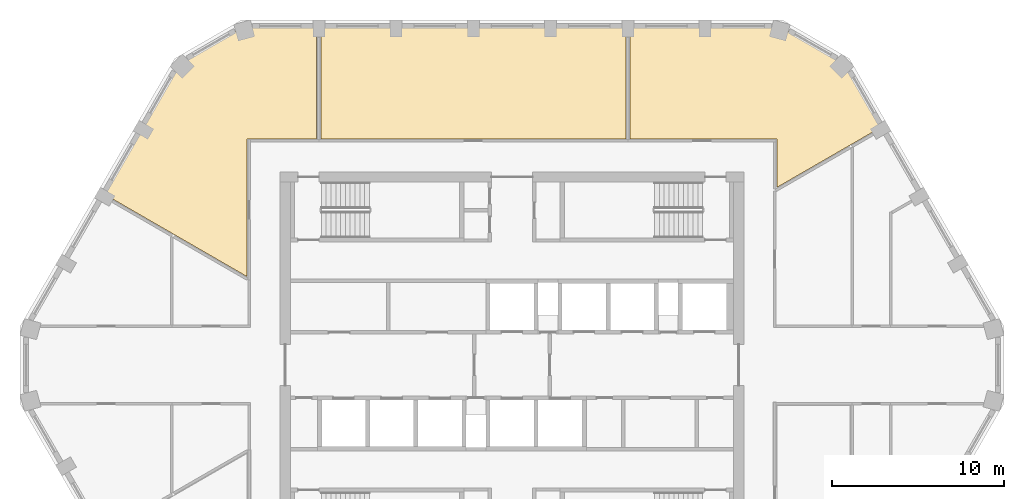
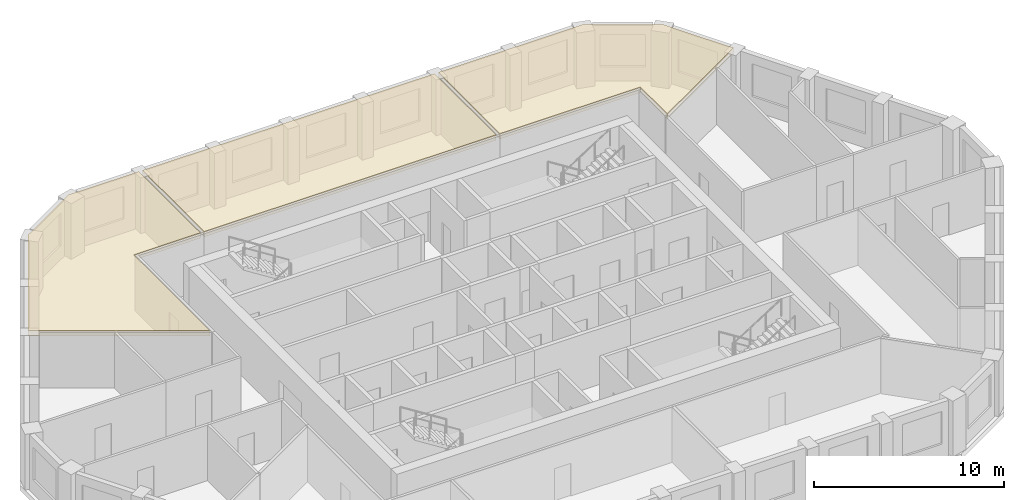
# One storey, part 11 of 11: 3 coverings.
"""IFC4 building model written with IfcOpenShell, lengths in metres."""

import ifcopenshell
import ifcopenshell.guid

model = None  # the IFC model being written
_history = None  # IfcOwnerHistory: only IFC2X3 demands one
_inside = {}  # id of a spatial element -> (the spatial element, [elements in it])
_under = {}  # id of a project, library or spatial element -> (it, [spatial elements below it])
_declared = {}  # id of a project -> (the project, [libraries it declares])
_typed = {}  # id of a type object -> (the type object, [elements of that type])
_made_of = {}  # id of a material, layer set ... -> (it, [elements and type objects made of it])


def new_model(schema):
    """Start an empty IFC model of exactly this schema.

    Asked for "IFC4X3", IfcOpenShell would pick the latest addendum, in which some entities
    have other attributes; the version numbers below select the first issue.
    IFC2X3 requires an IfcOwnerHistory on every rooted entity: one is made here for all.
    """
    global model, _history
    if schema == "IFC4X3":
        model = ifcopenshell.file(schema_version=(4, 3, 0, 0))
    else:
        model = ifcopenshell.file(schema=schema)
    _inside.clear()
    _under.clear()
    _declared.clear()
    _typed.clear()
    _made_of.clear()
    _history = None
    if model.schema == "IFC2X3":
        org = make("IfcOrganization", Name="unknown")
        user = make(
            "IfcPersonAndOrganization",
            ThePerson=make("IfcPerson", FamilyName="unknown"),
            TheOrganization=org,
        )
        app = make(
            "IfcApplication",
            ApplicationDeveloper=org,
            Version="unknown",
            ApplicationFullName="unknown",
            ApplicationIdentifier="unknown",
        )
        _history = make(
            "IfcOwnerHistory",
            OwningUser=user,
            OwningApplication=app,
            ChangeAction="ADDED",
            CreationDate=0,
        )
    return model


def make(cls, **values):
    """One entity of the class cls with the attributes given. An attribute that is None is left unset."""
    return model.create_entity(
        cls, **{name: value for name, value in values.items() if value is not None}
    )


def rooted(cls, **values):
    """An entity with a GlobalId (a new one), such as an element, a storey or a relation."""
    return make(cls, GlobalId=ifcopenshell.guid.new(), OwnerHistory=_history, **values)


def si_unit(unit_type, name, prefix=None):
    """IfcSIUnit, for example si_unit("LENGTHUNIT", "METRE", prefix="MILLI")."""
    return make("IfcSIUnit", UnitType=unit_type, Prefix=prefix, Name=name)


def assignment(units):
    """IfcUnitAssignment: the units of a project."""
    return None if units is None else make("IfcUnitAssignment", Units=units)


def point(xyz):
    """IfcCartesianPoint."""
    return None if xyz is None else make("IfcCartesianPoint", Coordinates=xyz)


def direction(xyz):
    """IfcDirection."""
    return None if xyz is None else make("IfcDirection", DirectionRatios=xyz)


def frame(location, z_axis=None, x_axis=None):
    """IfcAxis2Placement3D, a coordinate frame: its origin and axes. An axis left out is left unset."""
    return make(
        "IfcAxis2Placement3D",
        Location=point(location),
        Axis=direction(z_axis),
        RefDirection=direction(x_axis),
    )


def origin():
    """The frame at (0, 0, 0) with its axes left unset."""
    return frame((0.0, 0.0, 0.0))


def place(relative_to, where):
    """IfcLocalPlacement: puts the frame where relative to a parent placement (None: the world)."""
    return make(
        "IfcLocalPlacement", PlacementRelTo=relative_to, RelativePlacement=where
    )


def context(
    kind, dimensions, precision=None, world=None, true_north=None, identifier=None
):
    """IfcGeometricRepresentationContext, for example the 3D "Model" context."""
    return make(
        "IfcGeometricRepresentationContext",
        ContextIdentifier=identifier,
        ContextType=kind,
        CoordinateSpaceDimension=dimensions,
        Precision=precision,
        WorldCoordinateSystem=world,
        TrueNorth=true_north,
    )


def subcontext(parent, identifier, kind, view, scale=None):
    """IfcGeometricRepresentationSubContext, for example "Body" below "Model"."""
    return make(
        "IfcGeometricRepresentationSubContext",
        ContextIdentifier=identifier,
        ContextType=kind,
        ParentContext=parent,
        TargetScale=scale,
        TargetView=view,
    )


def project(units=None, contexts=None):
    """IfcProject with its units and contexts."""
    return rooted(
        "IfcProject",
        Name="project",
        RepresentationContexts=contexts,
        UnitsInContext=assignment(units),
    )


def spatial(cls, under=None, at=None, **own):
    """A site, building, storey or space (cls), placed at a placement, below another one or the project."""
    s = rooted(cls, ObjectPlacement=at, **own)
    if under is not None:
        _under.setdefault(under.id(), (under, []))[1].append(s)
    return s


def polyline(points):
    """IfcPolyline through the points."""
    return make("IfcPolyline", Points=[point(p) for p in points])


def outline(outer, holes=None, kind="AREA"):
    """IfcArbitraryClosedProfileDef: a profile drawn as a closed curve; with holes, ...WithVoids."""
    if holes is None:
        return make("IfcArbitraryClosedProfileDef", ProfileType=kind, OuterCurve=outer)
    return make(
        "IfcArbitraryProfileDefWithVoids",
        ProfileType=kind,
        OuterCurve=outer,
        InnerCurves=holes,
    )


def extrude(swept, where, along, depth):
    """IfcExtrudedAreaSolid: the profile swept, set in the frame where, extruded along a direction by depth."""
    return make(
        "IfcExtrudedAreaSolid",
        SweptArea=swept,
        Position=where,
        ExtrudedDirection=direction(along),
        Depth=depth,
    )


def shape(context_of_items, identifier, shape_type, items):
    """IfcShapeRepresentation: the items that make up one representation, for example the "Body"."""
    return make(
        "IfcShapeRepresentation",
        ContextOfItems=context_of_items,
        RepresentationIdentifier=identifier,
        RepresentationType=shape_type,
        Items=items,
    )


def material(Name=None, Category=None):
    """IfcMaterial."""
    return make("IfcMaterial", Name=Name, Category=Category)


def layer(
    of_material, thickness, ventilated=None, Name=None, Category=None, Priority=None
):
    """IfcMaterialLayer: one layer of a wall or slab, of a material (None: an air gap)."""
    return make(
        "IfcMaterialLayer",
        Material=of_material,
        LayerThickness=thickness,
        IsVentilated=ventilated,
        Name=Name,
        Category=Category,
        Priority=Priority,
    )


def layer_set(layers, Name=None):
    """IfcMaterialLayerSet."""
    return make("IfcMaterialLayerSet", MaterialLayers=layers, LayerSetName=Name)


def made_of(thing, what):
    """Note that an element or type object is made of a material, layer set ...; save() writes the relation."""
    if what is not None:
        _made_of.setdefault(what.id(), (what, []))[1].append(thing)
    return thing


def type_object(cls, material=None, **own):
    """A type object (cls), such as IfcWallType, which elements share."""
    return made_of(rooted(cls, **own), material)


def element(
    cls,
    number,
    at=None,
    inside=None,
    cuts=None,
    type_object=None,
    material=None,
    context=None,
    identifier="Body",
    shape_type=None,
    held_by="IfcProductDefinitionShape",
    body=None,
    shapes=None,
    **own,
):
    """One element of the class cls, such as IfcWall. Its Tag is "e" and its number.

    at: its placement. inside: the storey or other place that contains it. cuts: it is an
    opening in that element (IfcRelVoidsElement). A single representation is given by context,
    identifier, shape_type and body (its items); several are given by shapes. held_by: the class
    of the entity that holds the representations. save() writes the other relations.
    """
    e = rooted(cls, Tag="e%d" % number, ObjectPlacement=at, **own)
    if body is not None:
        shapes = [shape(context, identifier, shape_type, body)]
    if shapes is not None:
        e.Representation = make(held_by, Representations=shapes)
    if inside is not None:
        _inside.setdefault(inside.id(), (inside, []))[1].append(e)
    if cuts is not None:
        rooted(
            "IfcRelVoidsElement", RelatingBuildingElement=cuts, RelatedOpeningElement=e
        )
    if type_object is not None:
        _typed.setdefault(type_object.id(), (type_object, []))[1].append(e)
    return made_of(e, material)


def aggregate(whole, parts):
    """IfcRelAggregates: a whole, such as a stair, and the parts it consists of."""
    return rooted("IfcRelAggregates", RelatingObject=whole, RelatedObjects=parts)


def save(model, path):
    """Write the relations noted so far, then the file.

    IfcRelAggregates (storeys below a building ...), IfcRelContainedInSpatialStructure (elements
    in a storey), IfcRelDefinesByType, IfcRelAssociatesMaterial and IfcRelDeclares: one each for
    every whole, place, type object, material and project.
    """
    for whole, parts in _under.values():
        aggregate(whole, parts)
    for where, things in _inside.values():
        rooted(
            "IfcRelContainedInSpatialStructure",
            RelatedElements=things,
            RelatingStructure=where,
        )
    for kind, things in _typed.values():
        rooted("IfcRelDefinesByType", RelatedObjects=things, RelatingType=kind)
    for what, things in _made_of.values():
        rooted("IfcRelAssociatesMaterial", RelatedObjects=things, RelatingMaterial=what)
    for by, libraries in _declared.values():
        rooted("IfcRelDeclares", RelatingContext=by, RelatedDefinitions=libraries)
    model.write(path)


model = new_model("IFC4")

# Units and contexts
model_context = context("Model", 3, precision=1e-05, world=origin(), true_north=direction((0.0, 1.0)))
body_context = subcontext(model_context, "Body", "Model", "MODEL_VIEW")
ifc_project = project(units=[si_unit("LENGTHUNIT", "METRE"), si_unit("AREAUNIT", "SQUARE_METRE"), si_unit("VOLUMEUNIT", "CUBIC_METRE"), si_unit("PLANEANGLEUNIT", "RADIAN"), si_unit("MASSUNIT", "GRAM", prefix="KILO")], contexts=[model_context])

# Site, building, storey
site_placement = place(None, origin())
site = spatial("IfcSite", under=ifc_project, at=site_placement, CompositionType="ELEMENT")
building_placement = place(site_placement, origin())
building = spatial("IfcBuilding", under=site, at=building_placement, Name="Dhurran Vertical Campus", CompositionType="ELEMENT")
storey_placement = place(building_placement, frame((0.0, 0.0, 270.300048828125)))
storey = spatial("IfcBuildingStorey", under=building, at=storey_placement, Name="L67", CompositionType="ELEMENT", Elevation=270.300048828125)

# Coverings
ifc_material = material(Name="Mineral fibre ceiling tiles on suspended grid")
ifc_layer = layer(ifc_material, 0.35009765625)
ifc_layer_set = layer_set([ifc_layer], Name="Mineral fibre ceiling tiles on suspended grid")
covering_type = type_object("IfcCoveringType", Name="fl-CE-350 suspended ceiling", PredefinedType="CEILING", material=ifc_layer_set)
covering_1_placement = place(storey_placement, frame((0.0, 0.0, 3.224853515625)))
element("IfcCovering", 1, at=covering_1_placement, inside=storey, type_object=covering_type, Name="Ceiling 67-08", PredefinedType="CEILING", context=body_context, shape_type="SweptSolid", body=[
    extrude(outline(polyline([(-23.722900390625, 9.93798828125), (-19.339111328125, 17.531005859375), (-15.637939453125, 19.66796875), (-11.3701171875, 19.66796875), (-11.3701171875, 13.169921875), (-15.419921875, 13.169921875), (-15.419921875, 5.14404296875), (-23.722900390625, 9.93798828125)])), origin(), (0.0, 0.0, 1.0), 0.35009765625),
])
covering_2_placement = place(storey_placement, frame((0.0, 0.0, 3.224853515625)))
element("IfcCovering", 2, at=covering_2_placement, inside=storey, type_object=covering_type, Name="Ceiling 67-10", PredefinedType="CEILING", context=body_context, shape_type="SweptSolid", body=[
    extrude(outline(polyline([(-11.1298828125, 19.66796875), (6.6298828125, 19.66796875), (6.6298828125, 13.169921875), (-11.1298828125, 13.169921875), (-11.1298828125, 19.66796875)])), origin(), (0.0, 0.0, 1.0), 0.35009765625),
])
covering_3_placement = place(storey_placement, frame((0.0, 0.0, 3.224853515625)))
element("IfcCovering", 3, at=covering_3_placement, inside=storey, type_object=covering_type, Name="Ceiling 67-12", PredefinedType="CEILING", context=body_context, shape_type="SweptSolid", body=[
    extrude(outline(polyline([(6.8701171875, 19.66796875), (15.637939453125, 19.66796875), (19.339111328125, 17.531005859375), (21.472900390625, 13.8349609375), (15.419921875, 10.340087890625), (15.419921875, 13.169921875), (6.8701171875, 13.169921875), (6.8701171875, 19.66796875)])), origin(), (0.0, 0.0, 1.0), 0.35009765625),
])

save(model, "model.ifc")
